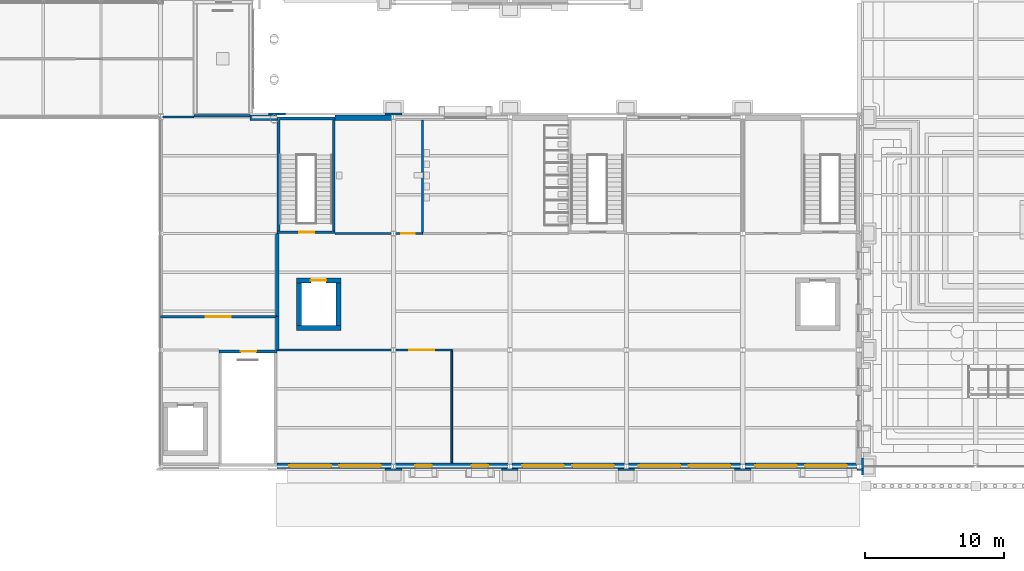
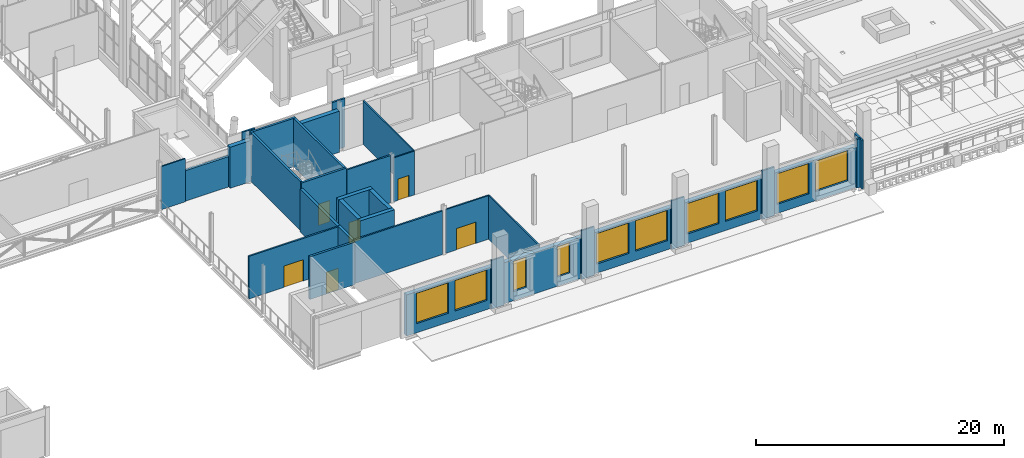
# One storey, part 51 of 76: 35 walls, 10 windows, 6 doors, 16 openings.
"""IFC4 building model written with IfcOpenShell, lengths in metres."""

import ifcopenshell
import ifcopenshell.guid

model = None  # the IFC model being written
_history = None  # IfcOwnerHistory: only IFC2X3 demands one
_inside = {}  # id of a spatial element -> (the spatial element, [elements in it])
_under = {}  # id of a project, library or spatial element -> (it, [spatial elements below it])
_declared = {}  # id of a project -> (the project, [libraries it declares])
_typed = {}  # id of a type object -> (the type object, [elements of that type])
_made_of = {}  # id of a material, layer set ... -> (it, [elements and type objects made of it])


def new_model(schema):
    """Start an empty IFC model of exactly this schema.

    Asked for "IFC4X3", IfcOpenShell would pick the latest addendum, in which some entities
    have other attributes; the version numbers below select the first issue.
    IFC2X3 requires an IfcOwnerHistory on every rooted entity: one is made here for all.
    """
    global model, _history
    if schema == "IFC4X3":
        model = ifcopenshell.file(schema_version=(4, 3, 0, 0))
    else:
        model = ifcopenshell.file(schema=schema)
    _inside.clear()
    _under.clear()
    _declared.clear()
    _typed.clear()
    _made_of.clear()
    _history = None
    if model.schema == "IFC2X3":
        org = make("IfcOrganization", Name="unknown")
        user = make(
            "IfcPersonAndOrganization",
            ThePerson=make("IfcPerson", FamilyName="unknown"),
            TheOrganization=org,
        )
        app = make(
            "IfcApplication",
            ApplicationDeveloper=org,
            Version="unknown",
            ApplicationFullName="unknown",
            ApplicationIdentifier="unknown",
        )
        _history = make(
            "IfcOwnerHistory",
            OwningUser=user,
            OwningApplication=app,
            ChangeAction="ADDED",
            CreationDate=0,
        )
    return model


def make(cls, **values):
    """One entity of the class cls with the attributes given. An attribute that is None is left unset."""
    return model.create_entity(
        cls, **{name: value for name, value in values.items() if value is not None}
    )


def rooted(cls, **values):
    """An entity with a GlobalId (a new one), such as an element, a storey or a relation."""
    return make(cls, GlobalId=ifcopenshell.guid.new(), OwnerHistory=_history, **values)


def si_unit(unit_type, name, prefix=None):
    """IfcSIUnit, for example si_unit("LENGTHUNIT", "METRE", prefix="MILLI")."""
    return make("IfcSIUnit", UnitType=unit_type, Prefix=prefix, Name=name)


def assignment(units):
    """IfcUnitAssignment: the units of a project."""
    return None if units is None else make("IfcUnitAssignment", Units=units)


def point(xyz):
    """IfcCartesianPoint."""
    return None if xyz is None else make("IfcCartesianPoint", Coordinates=xyz)


def direction(xyz):
    """IfcDirection."""
    return None if xyz is None else make("IfcDirection", DirectionRatios=xyz)


def frame(location, z_axis=None, x_axis=None):
    """IfcAxis2Placement3D, a coordinate frame: its origin and axes. An axis left out is left unset."""
    return make(
        "IfcAxis2Placement3D",
        Location=point(location),
        Axis=direction(z_axis),
        RefDirection=direction(x_axis),
    )


def frame_2d(location, x_axis=None):
    """IfcAxis2Placement2D, a coordinate frame in the plane: its origin and x axis."""
    return make(
        "IfcAxis2Placement2D", Location=point(location), RefDirection=direction(x_axis)
    )


def origin():
    """The frame at (0, 0, 0) with its axes left unset."""
    return frame((0.0, 0.0, 0.0))


def place(relative_to, where):
    """IfcLocalPlacement: puts the frame where relative to a parent placement (None: the world)."""
    return make(
        "IfcLocalPlacement", PlacementRelTo=relative_to, RelativePlacement=where
    )


def context(
    kind, dimensions, precision=None, world=None, true_north=None, identifier=None
):
    """IfcGeometricRepresentationContext, for example the 3D "Model" context."""
    return make(
        "IfcGeometricRepresentationContext",
        ContextIdentifier=identifier,
        ContextType=kind,
        CoordinateSpaceDimension=dimensions,
        Precision=precision,
        WorldCoordinateSystem=world,
        TrueNorth=true_north,
    )


def subcontext(parent, identifier, kind, view, scale=None):
    """IfcGeometricRepresentationSubContext, for example "Body" below "Model"."""
    return make(
        "IfcGeometricRepresentationSubContext",
        ContextIdentifier=identifier,
        ContextType=kind,
        ParentContext=parent,
        TargetScale=scale,
        TargetView=view,
    )


def project(units=None, contexts=None):
    """IfcProject with its units and contexts."""
    return rooted(
        "IfcProject",
        Name="project",
        RepresentationContexts=contexts,
        UnitsInContext=assignment(units),
    )


def spatial(cls, under=None, at=None, **own):
    """A site, building, storey or space (cls), placed at a placement, below another one or the project."""
    s = rooted(cls, ObjectPlacement=at, **own)
    if under is not None:
        _under.setdefault(under.id(), (under, []))[1].append(s)
    return s


def profile(cls, at=None, kind="AREA", **sizes):
    """A parametric profile (cls). Its sizes go by their IFC names, for example OverallWidth=200.0."""
    return make(cls, ProfileType=kind, Position=at, **sizes)


def rectangle(**sizes):
    """IfcRectangleProfileDef."""
    return profile("IfcRectangleProfileDef", **sizes)


def extrude(swept, where, along, depth):
    """IfcExtrudedAreaSolid: the profile swept, set in the frame where, extruded along a direction by depth."""
    return make(
        "IfcExtrudedAreaSolid",
        SweptArea=swept,
        Position=where,
        ExtrudedDirection=direction(along),
        Depth=depth,
    )


def shape(context_of_items, identifier, shape_type, items):
    """IfcShapeRepresentation: the items that make up one representation, for example the "Body"."""
    return make(
        "IfcShapeRepresentation",
        ContextOfItems=context_of_items,
        RepresentationIdentifier=identifier,
        RepresentationType=shape_type,
        Items=items,
    )


def material(Name=None, Category=None):
    """IfcMaterial."""
    return make("IfcMaterial", Name=Name, Category=Category)


def layer(
    of_material, thickness, ventilated=None, Name=None, Category=None, Priority=None
):
    """IfcMaterialLayer: one layer of a wall or slab, of a material (None: an air gap)."""
    return make(
        "IfcMaterialLayer",
        Material=of_material,
        LayerThickness=thickness,
        IsVentilated=ventilated,
        Name=Name,
        Category=Category,
        Priority=Priority,
    )


def layer_set(layers, Name=None):
    """IfcMaterialLayerSet."""
    return make("IfcMaterialLayerSet", MaterialLayers=layers, LayerSetName=Name)


def made_of(thing, what):
    """Note that an element or type object is made of a material, layer set ...; save() writes the relation."""
    if what is not None:
        _made_of.setdefault(what.id(), (what, []))[1].append(thing)
    return thing


def type_object(cls, material=None, **own):
    """A type object (cls), such as IfcWallType, which elements share."""
    return made_of(rooted(cls, **own), material)


def element(
    cls,
    number,
    at=None,
    inside=None,
    cuts=None,
    type_object=None,
    material=None,
    context=None,
    identifier="Body",
    shape_type=None,
    held_by="IfcProductDefinitionShape",
    body=None,
    shapes=None,
    **own,
):
    """One element of the class cls, such as IfcWall. Its Tag is "e" and its number.

    at: its placement. inside: the storey or other place that contains it. cuts: it is an
    opening in that element (IfcRelVoidsElement). A single representation is given by context,
    identifier, shape_type and body (its items); several are given by shapes. held_by: the class
    of the entity that holds the representations. save() writes the other relations.
    """
    e = rooted(cls, Tag="e%d" % number, ObjectPlacement=at, **own)
    if body is not None:
        shapes = [shape(context, identifier, shape_type, body)]
    if shapes is not None:
        e.Representation = make(held_by, Representations=shapes)
    if inside is not None:
        _inside.setdefault(inside.id(), (inside, []))[1].append(e)
    if cuts is not None:
        rooted(
            "IfcRelVoidsElement", RelatingBuildingElement=cuts, RelatedOpeningElement=e
        )
    if type_object is not None:
        _typed.setdefault(type_object.id(), (type_object, []))[1].append(e)
    return made_of(e, material)


def fill(opening, filler):
    """IfcRelFillsElement: the door or window that sits in an opening."""
    return rooted(
        "IfcRelFillsElement",
        RelatingOpeningElement=opening,
        RelatedBuildingElement=filler,
    )


def aggregate(whole, parts):
    """IfcRelAggregates: a whole, such as a stair, and the parts it consists of."""
    return rooted("IfcRelAggregates", RelatingObject=whole, RelatedObjects=parts)


def save(model, path):
    """Write the relations noted so far, then the file.

    IfcRelAggregates (storeys below a building ...), IfcRelContainedInSpatialStructure (elements
    in a storey), IfcRelDefinesByType, IfcRelAssociatesMaterial and IfcRelDeclares: one each for
    every whole, place, type object, material and project.
    """
    for whole, parts in _under.values():
        aggregate(whole, parts)
    for where, things in _inside.values():
        rooted(
            "IfcRelContainedInSpatialStructure",
            RelatedElements=things,
            RelatingStructure=where,
        )
    for kind, things in _typed.values():
        rooted("IfcRelDefinesByType", RelatedObjects=things, RelatingType=kind)
    for what, things in _made_of.values():
        rooted("IfcRelAssociatesMaterial", RelatedObjects=things, RelatingMaterial=what)
    for by, libraries in _declared.values():
        rooted("IfcRelDeclares", RelatingContext=by, RelatedDefinitions=libraries)
    model.write(path)


model = new_model("IFC4")

# Units and contexts
model_context = context("Model", 3, precision=1e-05, world=origin(), true_north=direction((0.0, 1.0)))
body_context = subcontext(model_context, "Body", "Model", "MODEL_VIEW")
ifc_project = project(units=[si_unit("LENGTHUNIT", "METRE"), si_unit("AREAUNIT", "SQUARE_METRE"), si_unit("VOLUMEUNIT", "CUBIC_METRE"), si_unit("PLANEANGLEUNIT", "RADIAN"), si_unit("MASSUNIT", "GRAM", prefix="KILO")], contexts=[model_context])

# Site, building, storey
site_placement = place(None, origin())
site = spatial("IfcSite", under=ifc_project, at=site_placement, CompositionType="ELEMENT")
building_placement = place(site_placement, origin())
building = spatial("IfcBuilding", under=site, at=building_placement, Name="Sava Quay Ferry Terminal", CompositionType="ELEMENT")
storey_placement = place(building_placement, frame((0.0, 0.0, 6.0)))
storey = spatial("IfcBuildingStorey", under=building, at=storey_placement, Name="L01", CompositionType="ELEMENT", Elevation=6.0)

# Walls
ifc_material_1 = material(Name="Concrete C30/37", Category="concrete")
ifc_layer_1 = layer(ifc_material_1, 0.25)
ifc_layer_set_1 = layer_set([ifc_layer_1], Name="Concrete C30/37")
wall_type_1 = type_object("IfcWallType", Name="Compartment wall, reinforced concrete 250", PredefinedType="PARTITIONING", material=ifc_layer_set_1)
wall_1_placement = place(storey_placement, frame((84.0, 33.60009765625, 0.0), z_axis=(0.0, 0.0, 1.0), x_axis=(0.0, 1.0, 0.0)))
element("IfcWall", 1, at=wall_1_placement, inside=storey, type_object=wall_type_1, Name="Compartment wall, reinforced concrete 250", PredefinedType="PARTITIONING", context=body_context, shape_type="SweptSolid", body=[
    extrude(rectangle(XDim=2.39990234375, YDim=0.25, at=frame_2d((1.199951171875, 0.0))), origin(), (0.0, 0.0, 1.0), 4.260009765625),
])
wall_2_placement = place(storey_placement, frame((84.0, 36.0, 0.0), z_axis=(0.0, 0.0, 1.0), x_axis=(0.0, 1.0, 0.0)))
element("IfcWall", 2, at=wall_2_placement, inside=storey, type_object=wall_type_1, Name="Compartment wall, reinforced concrete 250", PredefinedType="PARTITIONING", context=body_context, shape_type="SweptSolid", body=[
    extrude(rectangle(XDim=6.0, YDim=0.25, at=frame_2d((3.0, 0.0))), origin(), (0.0, 0.0, 1.0), 4.25),
])
ifc_material_2 = material(Name="Limestone Mutalj", Category="masonry")
ifc_layer_2 = layer(ifc_material_2, 0.14990234375)
ifc_layer_set_2 = layer_set([ifc_layer_2], Name="Limestone Mutalj")
wall_type_2 = type_object("IfcWallType", Name="Pier cladding 150", PredefinedType="SOLIDWALL", material=ifc_layer_set_2)
wall_3_placement = place(storey_placement, frame((83.39990234375, 50.635009765625, 0.0), z_axis=(0.0, 0.0, 1.0), x_axis=(1.0, 0.0, 0.0)))
element("IfcWall", 3, at=wall_3_placement, inside=storey, type_object=wall_type_2, Name="Pier P-N grid 84", PredefinedType="SOLIDWALL", context=body_context, shape_type="SweptSolid", body=[
    extrude(rectangle(XDim=1.2001953125, YDim=0.14990234375, at=frame_2d((0.60009765625, 0.0))), origin(), (0.0, 0.0, 1.0), 4.800048828125),
])
for number, where, z_axis, x_axis, name in (
    (4, (91.800048828125, 50.635009765625, 0.0), (0.0, 0.0, 1.0), (1.0, 0.0, 0.0), "Pier P-N grid 92.4"),
    (5, (126.22509765625, 24.60009765625, 0.0), (0.0, 0.0, 1.0), (0.0, 1.0, 0.0), "Pier P-E grid 25.2"),
    (6, (91.800048828125, 24.965087890625, 0.0), (0.0, 0.0, 1.0), (1.0, 0.0, 0.0), "Pier P-S grid 92.4"),
    (7, (100.199951171875, 24.965087890625, 0.0), (0.0, 0.0, 1.0), (1.0, 0.0, 0.0), "Pier P-S grid 100.8"),
    (8, (108.60009765625, 24.965087890625, 0.0), (0.0, 0.0, 1.0), (1.0, 0.0, 0.0), "Pier P-S grid 109.2"),
    (9, (117.0, 24.965087890625, 0.0), (0.0, 0.0, 1.0), (1.0, 0.0, 0.0), "Pier P-S grid 117.6"),
):
    element("IfcWall", number, at=place(storey_placement, frame(where, z_axis=z_axis, x_axis=x_axis)), inside=storey, type_object=wall_type_2, Name=name, PredefinedType="SOLIDWALL", context=body_context, shape_type="SweptSolid", body=[
        extrude(rectangle(XDim=1.199951171875, YDim=0.14990234375, at=frame_2d((0.60009765625, 0.0))), origin(), (0.0, 0.0, 1.0), 4.800048828125),
    ])
wall_4_placement = place(storey_placement, frame((125.85009765625, 24.965087890625, 0.0), z_axis=(0.0, 0.0, 1.0), x_axis=(1.0, 0.0, 0.0)))
element("IfcWall", 10, at=wall_4_placement, inside=storey, type_object=wall_type_2, Name="Pier P-S grid 126", PredefinedType="SOLIDWALL", context=body_context, shape_type="SweptSolid", body=[
    extrude(rectangle(XDim=0.449951171875, YDim=0.14990234375, at=frame_2d((0.22509765625, 0.0))), origin(), (0.0, 0.0, 1.0), 4.800048828125),
])

# Wall, opening, door
ifc_material_3 = material(Name="Masonry blockwork", Category="masonry")
ifc_layer_3 = layer(ifc_material_3, 0.14990234375)
ifc_layer_set_3 = layer_set([ifc_layer_3], Name="Masonry blockwork")
wall_type_3 = type_object("IfcWallType", Name="Plant, store and lobby wall, blockwork 150", PredefinedType="PARTITIONING", material=ifc_layer_set_3)
wall_5_placement = place(storey_placement, frame((75.60009765625, 36.0, 0.0), z_axis=(0.0, 0.0, 1.0), x_axis=(1.0, 0.0, 0.0)))
wall_5 = element("IfcWall", 11, at=wall_5_placement, inside=storey, type_object=wall_type_3, Name="Plant, store and lobby wall, blockwork 150", PredefinedType="PARTITIONING", context=body_context, shape_type="SweptSolid", body=[
    extrude(rectangle(XDim=8.39990234375, YDim=0.14990234375, at=frame_2d((4.199951171875, 0.0))), origin(), (0.0, 0.0, 1.0), 4.199951171875),
])
opening_1_placement = place(wall_5_placement, frame((3.25, 0.0, 0.0)))
opening_1 = element("IfcOpeningElement", 12, at=opening_1_placement, cuts=wall_5, Name="Opening D0102", PredefinedType="OPENING", context=body_context, shape_type="SweptSolid", body=[
    extrude(rectangle(XDim=1.800048828125, YDim=2.10009765625, at=frame_2d((0.89990234375, 1.050048828125))), frame((0.0, 0.074951171875, 0.0), z_axis=(0.0, -1.0, 0.0), x_axis=(1.0, 0.0, 0.0)), (0.0, 0.0, 1.0), 0.14990234375),
])
ifc_material_4 = material(Name="Timber door set", Category="wood")
door_type_1 = type_object("IfcDoorType", Name="Double door 1800 x 2100", OperationType="NOTDEFINED", PredefinedType="DOOR", material=ifc_material_4)
door_1_placement = place(opening_1_placement, origin())
door_1 = element("IfcDoor", 13, at=door_1_placement, inside=storey, type_object=door_type_1, Name="Door D0102", OperationType="DOUBLE_DOOR_DOUBLE_SWING", OverallHeight=2.10009765625, OverallWidth=1.800048828125, PredefinedType="DOOR", context=body_context, shape_type="SweptSolid", body=[
    extrude(rectangle(XDim=1.800048828125, YDim=2.10009765625, at=frame_2d((0.89990234375, 1.050048828125))), frame((0.0, 0.02490234375, 0.0), z_axis=(0.0, -1.0, 0.0), x_axis=(1.0, 0.0, 0.0)), (0.0, 0.0, 1.0), 0.050048828125),
])
fill(opening_1, door_1)

# Walls
wall_6_placement = place(storey_placement, frame((84.0, 33.60009765625, 0.0), z_axis=(0.0, 0.0, 1.0), x_axis=(1.0, 0.0, 0.0)))
element("IfcWall", 14, at=wall_6_placement, inside=storey, type_object=wall_type_3, Name="Plant, store and lobby wall, blockwork 150", PredefinedType="PARTITIONING", context=body_context, shape_type="SweptSolid", body=[
    extrude(rectangle(XDim=8.25, YDim=0.14990234375, at=frame_2d((4.125, 0.0))), origin(), (0.0, 0.0, 1.0), 4.31005859375),
])
wall_7_placement = place(storey_placement, frame((88.199951171875, 42.0, 0.0), z_axis=(0.0, 0.0, 1.0), x_axis=(1.0, 0.0, 0.0)))
element("IfcWall", 15, at=wall_7_placement, inside=storey, type_object=wall_type_3, Name="Plant, store and lobby wall, blockwork 150", PredefinedType="PARTITIONING", context=body_context, shape_type="SweptSolid", body=[
    extrude(rectangle(XDim=4.050048828125, YDim=0.14990234375, at=frame_2d((2.02490234375, 0.0))), origin(), (0.0, 0.0, 1.0), 4.669921875),
])

# Wall, opening, door
ifc_material_5 = material(Name="Concrete C35/45", Category="concrete")
ifc_layer_4 = layer(ifc_material_5, 0.199951171875)
ifc_layer_set_4 = layer_set([ifc_layer_4], Name="Concrete C35/45")
wall_type_4 = type_object("IfcWallType", Name="RC core wall 200", PredefinedType="SHEAR", material=ifc_layer_set_4)
wall_8_placement = place(storey_placement, frame((79.800048828125, 33.5, 0.0), z_axis=(0.0, 0.0, 1.0), x_axis=(1.0, 0.0, 0.0)))
wall_8 = element("IfcWall", 16, at=wall_8_placement, inside=storey, type_object=wall_type_4, Name="Core wall ST-A2 N L01", PredefinedType="SHEAR", context=body_context, shape_type="SweptSolid", body=[
    extrude(rectangle(XDim=4.199951171875, YDim=0.199951171875, at=frame_2d((2.10009765625, 0.0))), origin(), (0.0, 0.0, 1.0), 4.199951171875),
])
opening_2_placement = place(wall_8_placement, frame((1.60009765625, 0.0, 0.0)))
opening_2 = element("IfcOpeningElement", 17, at=opening_2_placement, cuts=wall_8, Name="Opening DS0102", PredefinedType="OPENING", context=body_context, shape_type="SweptSolid", body=[
    extrude(rectangle(XDim=1.10009765625, YDim=2.10009765625, at=frame_2d((0.550048828125, 1.050048828125))), frame((0.0, 0.10009765625, 0.0), z_axis=(0.0, -1.0, 0.0), x_axis=(1.0, 0.0, 0.0)), (0.0, 0.0, 1.0), 0.199951171875),
])
ifc_material_6 = material(Name="Steel fire door set", Category="steel")
door_type_2 = type_object("IfcDoorType", Name="Stair fire door 1100 x 2100", OperationType="NOTDEFINED", PredefinedType="DOOR", material=ifc_material_6)
door_2_placement = place(opening_2_placement, origin())
door_2 = element("IfcDoor", 18, at=door_2_placement, inside=storey, type_object=door_type_2, Name="Door DS0102", OperationType="SINGLE_SWING_RIGHT", OverallHeight=2.10009765625, OverallWidth=1.10009765625, PredefinedType="DOOR", context=body_context, shape_type="SweptSolid", body=[
    extrude(rectangle(XDim=1.10009765625, YDim=2.10009765625, at=frame_2d((0.550048828125, 1.050048828125))), frame((0.0, 0.02490234375, 0.0), z_axis=(0.0, -1.0, 0.0), x_axis=(1.0, 0.0, 0.0)), (0.0, 0.0, 1.0), 0.050048828125),
])
fill(opening_2, door_2)

# Wall
wall_9_placement = place(storey_placement, frame((78.0, 50.5, 0.0), z_axis=(0.0, 0.0, 1.0), x_axis=(1.0, 0.0, 0.0)))
element("IfcWall", 19, at=wall_9_placement, inside=storey, type_object=wall_type_4, Name="Core wall ST-D2 S L01", PredefinedType="SHEAR", context=body_context, shape_type="SweptSolid", body=[
    extrude(rectangle(XDim=4.199951171875, YDim=0.199951171875, at=frame_2d((2.10009765625, 0.0))), origin(), (0.0, 0.0, 1.0), 3.0),
])

# Wall, opening, door
wall_10_placement = place(storey_placement, frame((84.0, 42.10009765625, 0.0), z_axis=(0.0, 0.0, 1.0), x_axis=(1.0, 0.0, 0.0)))
wall_10 = element("IfcWall", 20, at=wall_10_placement, inside=storey, type_object=wall_type_4, Name="Core wall ST-P1 S L01", PredefinedType="SHEAR", context=body_context, shape_type="SweptSolid", body=[
    extrude(rectangle(XDim=4.199951171875, YDim=0.199951171875, at=frame_2d((2.10009765625, 0.0))), origin(), (0.0, 0.0, 1.0), 4.800048828125),
])
opening_3_placement = place(wall_10_placement, frame((1.60009765625, 0.0, 0.0)))
opening_3 = element("IfcOpeningElement", 21, at=opening_3_placement, cuts=wall_10, Name="Opening DS0110", PredefinedType="OPENING", context=body_context, shape_type="SweptSolid", body=[
    extrude(rectangle(XDim=1.10009765625, YDim=2.10009765625, at=frame_2d((0.550048828125, 1.050048828125))), frame((0.0, 0.10009765625, 0.0), z_axis=(0.0, -1.0, 0.0), x_axis=(1.0, 0.0, 0.0)), (0.0, 0.0, 1.0), 0.199951171875),
])
door_3_placement = place(opening_3_placement, origin())
door_3 = element("IfcDoor", 22, at=door_3_placement, inside=storey, type_object=door_type_2, Name="Door DS0110", OperationType="SINGLE_SWING_RIGHT", OverallHeight=2.10009765625, OverallWidth=1.10009765625, PredefinedType="DOOR", context=body_context, shape_type="SweptSolid", body=[
    extrude(rectangle(XDim=1.10009765625, YDim=2.10009765625, at=frame_2d((0.550048828125, 1.050048828125))), frame((0.0, 0.02490234375, 0.0), z_axis=(0.0, -1.0, 0.0), x_axis=(1.0, 0.0, 0.0)), (0.0, 0.0, 1.0), 0.050048828125),
])
fill(opening_3, door_3)

# Walls
wall_11_placement = place(storey_placement, frame((84.0, 50.300048828125, 0.0), z_axis=(0.0, 0.0, 1.0), x_axis=(1.0, 0.0, 0.0)))
element("IfcWall", 23, at=wall_11_placement, inside=storey, type_object=wall_type_4, Name="Core wall ST-P1 N L01", PredefinedType="SHEAR", context=body_context, shape_type="SweptSolid", body=[
    extrude(rectangle(XDim=4.199951171875, YDim=0.199951171875, at=frame_2d((2.10009765625, 0.0))), origin(), (0.0, 0.0, 1.0), 4.800048828125),
])
for number, where, z_axis, x_axis, name in (
    (24, (84.10009765625, 42.199951171875, 0.0), (0.0, 0.0, 1.0), (0.0, 1.0, 0.0), "Core wall ST-P1 W L01"),
    (25, (88.10009765625, 42.199951171875, 0.0), (0.0, 0.0, 1.0), (0.0, 1.0, 0.0), "Core wall ST-P1 E L01"),
):
    element("IfcWall", number, at=place(storey_placement, frame(where, z_axis=z_axis, x_axis=x_axis)), inside=storey, type_object=wall_type_4, Name=name, PredefinedType="SHEAR", context=body_context, shape_type="SweptSolid", body=[
        extrude(rectangle(XDim=8.0, YDim=0.199951171875, at=frame_2d((4.0, 0.0))), origin(), (0.0, 0.0, 1.0), 4.800048828125),
    ])
ifc_material_7 = material(Name="Concrete C35/45", Category="concrete")
ifc_layer_5 = layer(ifc_material_7, 0.35009765625)
ifc_layer_set_5 = layer_set([ifc_layer_5], Name="Concrete C35/45")
wall_type_5 = type_object("IfcWallType", Name="RC core wall 350", PredefinedType="SHEAR", material=ifc_layer_set_5)
wall_12_placement = place(storey_placement, frame((85.39990234375, 35.175048828125, 0.0), z_axis=(0.0, 0.0, 1.0), x_axis=(1.0, 0.0, 0.0)))
element("IfcWall", 26, at=wall_12_placement, inside=storey, type_object=wall_type_5, Name="Core wall LF-P1 S L01", PredefinedType="SHEAR", context=body_context, shape_type="SweptSolid", body=[
    extrude(rectangle(XDim=3.2001953125, YDim=0.35009765625, at=frame_2d((1.60009765625, 0.0))), origin(), (0.0, 0.0, 1.0), 4.800048828125),
])

# Wall, opening, door
wall_13_placement = place(storey_placement, frame((85.39990234375, 38.625, 0.0), z_axis=(0.0, 0.0, 1.0), x_axis=(1.0, 0.0, 0.0)))
wall_13 = element("IfcWall", 27, at=wall_13_placement, inside=storey, type_object=wall_type_5, Name="Core wall LF-P1 N L01", PredefinedType="SHEAR", context=body_context, shape_type="SweptSolid", body=[
    extrude(rectangle(XDim=3.2001953125, YDim=0.35009765625, at=frame_2d((1.60009765625, 0.0))), origin(), (0.0, 0.0, 1.0), 4.800048828125),
])
opening_4_placement = place(wall_13_placement, frame((1.050048828125, 0.0, 0.0)))
opening_4 = element("IfcOpeningElement", 28, at=opening_4_placement, cuts=wall_13, Name="Opening LD0105", PredefinedType="OPENING", context=body_context, shape_type="SweptSolid", body=[
    extrude(rectangle(XDim=1.10009765625, YDim=2.10009765625, at=frame_2d((0.550048828125, 1.050048828125))), frame((0.0, 0.175048828125, 0.0), z_axis=(0.0, -1.0, 0.0), x_axis=(1.0, 0.0, 0.0)), (0.0, 0.0, 1.0), 0.35009765625),
])
ifc_material_8 = material(Name="Stainless steel", Category="steel")
door_type_3 = type_object("IfcDoorType", Name="Lift landing door 1100 x 2100", OperationType="NOTDEFINED", PredefinedType="DOOR", material=ifc_material_8)
door_4_placement = place(opening_4_placement, origin())
door_4 = element("IfcDoor", 29, at=door_4_placement, inside=storey, type_object=door_type_3, Name="Door LD0105", OperationType="SLIDING_TO_LEFT", OverallHeight=2.10009765625, OverallWidth=1.10009765625, PredefinedType="DOOR", context=body_context, shape_type="SweptSolid", body=[
    extrude(rectangle(XDim=1.10009765625, YDim=2.10009765625, at=frame_2d((0.550048828125, 1.050048828125))), frame((0.0, 0.02490234375, 0.0), z_axis=(0.0, -1.0, 0.0), x_axis=(1.0, 0.0, 0.0)), (0.0, 0.0, 1.0), 0.050048828125),
])
fill(opening_4, door_4)

# Walls
for number, where, z_axis, x_axis, name in (
    (30, (85.574951171875, 35.35009765625, 0.0), (0.0, 0.0, 1.0), (0.0, 1.0, 0.0), "Core wall LF-P1 W L01"),
    (31, (88.425048828125, 35.35009765625, 0.0), (0.0, 0.0, 1.0), (0.0, 1.0, 0.0), "Core wall LF-P1 E L01"),
):
    element("IfcWall", number, at=place(storey_placement, frame(where, z_axis=z_axis, x_axis=x_axis)), inside=storey, type_object=wall_type_5, Name=name, PredefinedType="SHEAR", context=body_context, shape_type="SweptSolid", body=[
        extrude(rectangle(XDim=3.099853515625, YDim=0.35009765625, at=frame_2d((1.5498046875, 0.0))), origin(), (0.0, 0.0, 1.0), 4.800048828125),
    ])
ifc_material_9 = material(Name="Plasterboard on steel studs", Category="steel")
ifc_layer_6 = layer(ifc_material_9, 0.125)
ifc_layer_set_6 = layer_set([ifc_layer_6], Name="Plasterboard on steel studs")
wall_type_6 = type_object("IfcWallType", Name="Room partition, plasterboard on steel studs 125", PredefinedType="PARTITIONING", material=ifc_layer_set_6)
wall_14_placement = place(storey_placement, frame((75.75, 50.39990234375, 0.0), z_axis=(0.0, 0.0, 1.0), x_axis=(1.0, 0.0, 0.0)))
element("IfcWall", 32, at=wall_14_placement, inside=storey, type_object=wall_type_6, Name="Room partition, plasterboard on steel studs 125", PredefinedType="PARTITIONING", context=body_context, shape_type="SweptSolid", body=[
    extrude(rectangle(XDim=2.25, YDim=0.125, at=frame_2d((1.125, 0.0))), origin(), (0.0, 0.0, 1.0), 4.25),
])
wall_15_placement = place(storey_placement, frame((96.60009765625, 25.4404296875, 0.0), z_axis=(0.0, 0.0, 1.0), x_axis=(0.0, 1.0, 0.0)))
element("IfcWall", 33, at=wall_15_placement, inside=storey, type_object=wall_type_6, Name="Room partition, plasterboard on steel studs 125", PredefinedType="PARTITIONING", context=body_context, shape_type="SweptSolid", body=[
    extrude(rectangle(XDim=8.15966796875, YDim=0.125, at=frame_2d((4.079833984375, 0.0))), origin(), (0.0, 0.0, 1.0), 4.31005859375),
])

# Wall, opening, door
wall_16_placement = place(storey_placement, frame((92.550048828125, 33.60009765625, 0.0), z_axis=(0.0, 0.0, 1.0), x_axis=(1.0, 0.0, 0.0)))
wall_16 = element("IfcWall", 34, at=wall_16_placement, inside=storey, type_object=wall_type_6, Name="Room partition, plasterboard on steel studs 125", PredefinedType="PARTITIONING", context=body_context, shape_type="SweptSolid", body=[
    extrude(rectangle(XDim=4.050048828125, YDim=0.125, at=frame_2d((2.02490234375, 0.0))), origin(), (0.0, 0.0, 1.0), 4.31005859375),
])
opening_5_placement = place(wall_16_placement, frame((1.0, 0.0, 0.0)))
opening_5 = element("IfcOpeningElement", 35, at=opening_5_placement, cuts=wall_16, Name="Opening D0112", PredefinedType="OPENING", context=body_context, shape_type="SweptSolid", body=[
    extrude(rectangle(XDim=1.800048828125, YDim=2.10009765625, at=frame_2d((0.89990234375, 1.050048828125))), frame((0.0, 0.0625, 0.0), z_axis=(0.0, -1.0, 0.0), x_axis=(1.0, 0.0, 0.0)), (0.0, 0.0, 1.0), 0.125),
])
door_5_placement = place(opening_5_placement, origin())
door_5 = element("IfcDoor", 36, at=door_5_placement, inside=storey, type_object=door_type_1, Name="Door D0112", OperationType="DOUBLE_DOOR_DOUBLE_SWING", OverallHeight=2.10009765625, OverallWidth=1.800048828125, PredefinedType="DOOR", context=body_context, shape_type="SweptSolid", body=[
    extrude(rectangle(XDim=1.800048828125, YDim=2.10009765625, at=frame_2d((0.89990234375, 1.050048828125))), frame((0.0, 0.02490234375, 0.0), z_axis=(0.0, -1.0, 0.0), x_axis=(1.0, 0.0, 0.0)), (0.0, 0.0, 1.0), 0.050048828125),
])
fill(opening_5, door_5)

# Walls
ifc_material_10 = material(Name="Sandstone Bela Voda", Category="masonry")
ifc_layer_7 = layer(ifc_material_10, 0.39990234375)
ifc_layer_set_7 = layer_set([ifc_layer_7], Name="Sandstone Bela Voda")
wall_type_7 = type_object("IfcWallType", Name="Sandstone ashlar infill 400", PredefinedType="SOLIDWALL", material=ifc_layer_set_7)
wall_17_placement = place(storey_placement, frame((82.050048828125, 50.360107421875, 0.0), z_axis=(0.0, 0.0, 1.0), x_axis=(1.0, 0.0, 0.0)))
element("IfcWall", 37, at=wall_17_placement, inside=storey, type_object=wall_type_7, Name="External wall P-N", PredefinedType="SOLIDWALL", context=body_context, shape_type="SweptSolid", body=[
    extrude(rectangle(XDim=1.949951171875, YDim=0.39990234375, at=frame_2d((0.97509765625, 0.0))), origin(), (0.0, 0.0, 1.0), 4.050048828125),
])
wall_18_placement = place(storey_placement, frame((88.199951171875, 50.360107421875, 0.0), z_axis=(0.0, 0.0, 1.0), x_axis=(1.0, 0.0, 0.0)))
element("IfcWall", 38, at=wall_18_placement, inside=storey, type_object=wall_type_7, Name="External wall P-N", PredefinedType="SOLIDWALL", context=body_context, shape_type="SweptSolid", body=[
    extrude(rectangle(XDim=4.050048828125, YDim=0.39990234375, at=frame_2d((2.02490234375, 0.0))), origin(), (0.0, 0.0, 1.0), 4.050048828125),
])

# Wall, openings, windows
wall_19_placement = place(storey_placement, frame((84.0, 25.239990234375, 0.0), z_axis=(0.0, 0.0, 1.0), x_axis=(1.0, 0.0, 0.0)))
wall_19 = element("IfcWall", 39, at=wall_19_placement, inside=storey, type_object=wall_type_7, Name="External wall P-S", PredefinedType="SOLIDWALL", context=body_context, shape_type="SweptSolid", body=[
    extrude(rectangle(XDim=8.25, YDim=0.39990234375, at=frame_2d((4.125, 0.0))), origin(), (0.0, 0.0, 1.0), 4.050048828125),
])
opening_6_placement = place(wall_19_placement, frame((0.89990234375, 0.0, 0.89990234375)))
opening_6 = element("IfcOpeningElement", 40, at=opening_6_placement, cuts=wall_19, Name="Opening W-B", PredefinedType="OPENING", context=body_context, shape_type="SweptSolid", body=[
    extrude(rectangle(XDim=3.0, YDim=3.0, at=frame_2d((1.5, 1.5))), frame((0.0, 0.199951171875, 0.0), z_axis=(0.0, -1.0, 0.0), x_axis=(1.0, 0.0, 0.0)), (0.0, 0.0, 1.0), 0.39990234375),
])
opening_7_placement = place(wall_19_placement, frame((4.5, 0.0, 0.89990234375)))
opening_7 = element("IfcOpeningElement", 41, at=opening_7_placement, cuts=wall_19, Name="Opening W-B", PredefinedType="OPENING", context=body_context, shape_type="SweptSolid", body=[
    extrude(rectangle(XDim=3.0, YDim=3.0, at=frame_2d((1.5, 1.5))), frame((0.0, 0.199951171875, 0.0), z_axis=(0.0, -1.0, 0.0), x_axis=(1.0, 0.0, 0.0)), (0.0, 0.0, 1.0), 0.39990234375),
])
ifc_material_11 = material(Name="Aluminium bronze anodised frame, glazing double low-e Ug 1.1", Category="aluminium")
window_type_1 = type_object("IfcWindowType", Name="Upper ordered window 3000x3000", PartitioningType="SINGLE_PANEL", PredefinedType="WINDOW", material=ifc_material_11)
window_1_placement = place(opening_6_placement, origin())
window_1 = element("IfcWindow", 42, at=window_1_placement, inside=storey, type_object=window_type_1, Name="Window W-B", OverallHeight=3.0, OverallWidth=3.0, PartitioningType="SINGLE_PANEL", PredefinedType="WINDOW", context=body_context, shape_type="SweptSolid", body=[
    extrude(rectangle(XDim=3.0, YDim=3.0, at=frame_2d((1.5, 1.5))), frame((0.0, 0.030029296875, 0.0), z_axis=(0.0, -1.0, 0.0), x_axis=(1.0, 0.0, 0.0)), (0.0, 0.0, 1.0), 0.06005859375),
])
fill(opening_6, window_1)
window_2_placement = place(opening_7_placement, origin())
window_2 = element("IfcWindow", 43, at=window_2_placement, inside=storey, type_object=window_type_1, Name="Window W-B", OverallHeight=3.0, OverallWidth=3.0, PartitioningType="SINGLE_PANEL", PredefinedType="WINDOW", context=body_context, shape_type="SweptSolid", body=[
    extrude(rectangle(XDim=3.0, YDim=3.0, at=frame_2d((1.5, 1.5))), frame((0.0, 0.030029296875, 0.0), z_axis=(0.0, -1.0, 0.0), x_axis=(1.0, 0.0, 0.0)), (0.0, 0.0, 1.0), 0.06005859375),
])
fill(opening_7, window_2)

wall_20_placement = place(storey_placement, frame((92.550048828125, 25.239990234375, 0.0), z_axis=(0.0, 0.0, 1.0), x_axis=(1.0, 0.0, 0.0)))
wall_20 = element("IfcWall", 44, at=wall_20_placement, inside=storey, type_object=wall_type_7, Name="External wall P-S", PredefinedType="SOLIDWALL", context=body_context, shape_type="SweptSolid", body=[
    extrude(rectangle(XDim=8.099853515625, YDim=0.39990234375, at=frame_2d((4.0498046875, 0.0))), origin(), (0.0, 0.0, 1.0), 4.050048828125),
])
opening_8_placement = place(wall_20_placement, frame((1.418701171875, 0.0, 0.89990234375)))
opening_8 = element("IfcOpeningElement", 45, at=opening_8_placement, cuts=wall_20, Name="Opening W-E1", PredefinedType="OPENING", context=body_context, shape_type="SweptSolid", body=[
    extrude(rectangle(XDim=1.199951171875, YDim=3.0, at=frame_2d((0.60009765625, 1.5))), frame((0.0, 0.199951171875, 0.0), z_axis=(0.0, -1.0, 0.0), x_axis=(1.0, 0.0, 0.0)), (0.0, 0.0, 1.0), 0.39990234375),
])
opening_9_placement = place(wall_20_placement, frame((5.481201171875, 0.0, 0.89990234375)))
opening_9 = element("IfcOpeningElement", 46, at=opening_9_placement, cuts=wall_20, Name="Opening W-E1", PredefinedType="OPENING", context=body_context, shape_type="SweptSolid", body=[
    extrude(rectangle(XDim=1.199951171875, YDim=3.0, at=frame_2d((0.60009765625, 1.5))), frame((0.0, 0.199951171875, 0.0), z_axis=(0.0, -1.0, 0.0), x_axis=(1.0, 0.0, 0.0)), (0.0, 0.0, 1.0), 0.39990234375),
])
ifc_material_12 = material(Name="Aluminium bronze anodised frame, glazing double low-e Ug 1.1", Category="aluminium")
window_type_2 = type_object("IfcWindowType", Name="Entrance sidelight 1200x3000", PartitioningType="SINGLE_PANEL", PredefinedType="WINDOW", material=ifc_material_12)
window_3_placement = place(opening_8_placement, origin())
window_3 = element("IfcWindow", 47, at=window_3_placement, inside=storey, type_object=window_type_2, Name="Window W-E1", OverallHeight=3.0, OverallWidth=1.199951171875, PartitioningType="SINGLE_PANEL", PredefinedType="WINDOW", context=body_context, shape_type="SweptSolid", body=[
    extrude(rectangle(XDim=1.199951171875, YDim=3.0, at=frame_2d((0.60009765625, 1.5))), frame((0.0, 0.030029296875, 0.0), z_axis=(0.0, -1.0, 0.0), x_axis=(1.0, 0.0, 0.0)), (0.0, 0.0, 1.0), 0.06005859375),
])
fill(opening_8, window_3)
window_4_placement = place(opening_9_placement, origin())
window_4 = element("IfcWindow", 48, at=window_4_placement, inside=storey, type_object=window_type_2, Name="Window W-E1", OverallHeight=3.0, OverallWidth=1.199951171875, PartitioningType="SINGLE_PANEL", PredefinedType="WINDOW", context=body_context, shape_type="SweptSolid", body=[
    extrude(rectangle(XDim=1.199951171875, YDim=3.0, at=frame_2d((0.60009765625, 1.5))), frame((0.0, 0.030029296875, 0.0), z_axis=(0.0, -1.0, 0.0), x_axis=(1.0, 0.0, 0.0)), (0.0, 0.0, 1.0), 0.06005859375),
])
fill(opening_9, window_4)

wall_21_placement = place(storey_placement, frame((100.949951171875, 25.239990234375, 0.0), z_axis=(0.0, 0.0, 1.0), x_axis=(1.0, 0.0, 0.0)))
wall_21 = element("IfcWall", 49, at=wall_21_placement, inside=storey, type_object=wall_type_7, Name="External wall P-S", PredefinedType="SOLIDWALL", context=body_context, shape_type="SweptSolid", body=[
    extrude(rectangle(XDim=8.10009765625, YDim=0.39990234375, at=frame_2d((4.050048828125, 0.0))), origin(), (0.0, 0.0, 1.0), 4.050048828125),
])
opening_10_placement = place(wall_21_placement, frame((0.75, 0.0, 0.89990234375)))
opening_10 = element("IfcOpeningElement", 50, at=opening_10_placement, cuts=wall_21, Name="Opening W-B", PredefinedType="OPENING", context=body_context, shape_type="SweptSolid", body=[
    extrude(rectangle(XDim=3.0, YDim=3.0, at=frame_2d((1.5, 1.5))), frame((0.0, 0.199951171875, 0.0), z_axis=(0.0, -1.0, 0.0), x_axis=(1.0, 0.0, 0.0)), (0.0, 0.0, 1.0), 0.39990234375),
])
opening_11_placement = place(wall_21_placement, frame((4.35009765625, 0.0, 0.89990234375)))
opening_11 = element("IfcOpeningElement", 51, at=opening_11_placement, cuts=wall_21, Name="Opening W-B", PredefinedType="OPENING", context=body_context, shape_type="SweptSolid", body=[
    extrude(rectangle(XDim=3.0, YDim=3.0, at=frame_2d((1.5, 1.5))), frame((0.0, 0.199951171875, 0.0), z_axis=(0.0, -1.0, 0.0), x_axis=(1.0, 0.0, 0.0)), (0.0, 0.0, 1.0), 0.39990234375),
])
window_5_placement = place(opening_10_placement, origin())
window_5 = element("IfcWindow", 52, at=window_5_placement, inside=storey, type_object=window_type_1, Name="Window W-B", OverallHeight=3.0, OverallWidth=3.0, PartitioningType="SINGLE_PANEL", PredefinedType="WINDOW", context=body_context, shape_type="SweptSolid", body=[
    extrude(rectangle(XDim=3.0, YDim=3.0, at=frame_2d((1.5, 1.5))), frame((0.0, 0.030029296875, 0.0), z_axis=(0.0, -1.0, 0.0), x_axis=(1.0, 0.0, 0.0)), (0.0, 0.0, 1.0), 0.06005859375),
])
fill(opening_10, window_5)
window_6_placement = place(opening_11_placement, origin())
window_6 = element("IfcWindow", 53, at=window_6_placement, inside=storey, type_object=window_type_1, Name="Window W-B", OverallHeight=3.0, OverallWidth=3.0, PartitioningType="SINGLE_PANEL", PredefinedType="WINDOW", context=body_context, shape_type="SweptSolid", body=[
    extrude(rectangle(XDim=3.0, YDim=3.0, at=frame_2d((1.5, 1.5))), frame((0.0, 0.030029296875, 0.0), z_axis=(0.0, -1.0, 0.0), x_axis=(1.0, 0.0, 0.0)), (0.0, 0.0, 1.0), 0.06005859375),
])
fill(opening_11, window_6)

wall_22_placement = place(storey_placement, frame((109.35009765625, 25.239990234375, 0.0), z_axis=(0.0, 0.0, 1.0), x_axis=(1.0, 0.0, 0.0)))
wall_22 = element("IfcWall", 54, at=wall_22_placement, inside=storey, type_object=wall_type_7, Name="External wall P-S", PredefinedType="SOLIDWALL", context=body_context, shape_type="SweptSolid", body=[
    extrude(rectangle(XDim=8.099853515625, YDim=0.39990234375, at=frame_2d((4.0498046875, 0.0))), origin(), (0.0, 0.0, 1.0), 4.050048828125),
])
opening_12_placement = place(wall_22_placement, frame((0.75, 0.0, 0.89990234375)))
opening_12 = element("IfcOpeningElement", 55, at=opening_12_placement, cuts=wall_22, Name="Opening W-B", PredefinedType="OPENING", context=body_context, shape_type="SweptSolid", body=[
    extrude(rectangle(XDim=3.0, YDim=3.0, at=frame_2d((1.5, 1.5))), frame((0.0, 0.199951171875, 0.0), z_axis=(0.0, -1.0, 0.0), x_axis=(1.0, 0.0, 0.0)), (0.0, 0.0, 1.0), 0.39990234375),
])
opening_13_placement = place(wall_22_placement, frame((4.35009765625, 0.0, 0.89990234375)))
opening_13 = element("IfcOpeningElement", 56, at=opening_13_placement, cuts=wall_22, Name="Opening W-B", PredefinedType="OPENING", context=body_context, shape_type="SweptSolid", body=[
    extrude(rectangle(XDim=3.0, YDim=3.0, at=frame_2d((1.5, 1.5))), frame((0.0, 0.199951171875, 0.0), z_axis=(0.0, -1.0, 0.0), x_axis=(1.0, 0.0, 0.0)), (0.0, 0.0, 1.0), 0.39990234375),
])
window_7_placement = place(opening_12_placement, origin())
window_7 = element("IfcWindow", 57, at=window_7_placement, inside=storey, type_object=window_type_1, Name="Window W-B", OverallHeight=3.0, OverallWidth=3.0, PartitioningType="SINGLE_PANEL", PredefinedType="WINDOW", context=body_context, shape_type="SweptSolid", body=[
    extrude(rectangle(XDim=3.0, YDim=3.0, at=frame_2d((1.5, 1.5))), frame((0.0, 0.030029296875, 0.0), z_axis=(0.0, -1.0, 0.0), x_axis=(1.0, 0.0, 0.0)), (0.0, 0.0, 1.0), 0.06005859375),
])
fill(opening_12, window_7)
window_8_placement = place(opening_13_placement, origin())
window_8 = element("IfcWindow", 58, at=window_8_placement, inside=storey, type_object=window_type_1, Name="Window W-B", OverallHeight=3.0, OverallWidth=3.0, PartitioningType="SINGLE_PANEL", PredefinedType="WINDOW", context=body_context, shape_type="SweptSolid", body=[
    extrude(rectangle(XDim=3.0, YDim=3.0, at=frame_2d((1.5, 1.5))), frame((0.0, 0.030029296875, 0.0), z_axis=(0.0, -1.0, 0.0), x_axis=(1.0, 0.0, 0.0)), (0.0, 0.0, 1.0), 0.06005859375),
])
fill(opening_13, window_8)

wall_23_placement = place(storey_placement, frame((117.75, 25.239990234375, 0.0), z_axis=(0.0, 0.0, 1.0), x_axis=(1.0, 0.0, 0.0)))
wall_23 = element("IfcWall", 59, at=wall_23_placement, inside=storey, type_object=wall_type_7, Name="External wall P-S", PredefinedType="SOLIDWALL", context=body_context, shape_type="SweptSolid", body=[
    extrude(rectangle(XDim=8.10009765625, YDim=0.39990234375, at=frame_2d((4.050048828125, 0.0))), origin(), (0.0, 0.0, 1.0), 4.050048828125),
])
opening_14_placement = place(wall_23_placement, frame((0.75, 0.0, 0.89990234375)))
opening_14 = element("IfcOpeningElement", 60, at=opening_14_placement, cuts=wall_23, Name="Opening W-B", PredefinedType="OPENING", context=body_context, shape_type="SweptSolid", body=[
    extrude(rectangle(XDim=3.0, YDim=3.0, at=frame_2d((1.5, 1.5))), frame((0.0, 0.199951171875, 0.0), z_axis=(0.0, -1.0, 0.0), x_axis=(1.0, 0.0, 0.0)), (0.0, 0.0, 1.0), 0.39990234375),
])
opening_15_placement = place(wall_23_placement, frame((4.35009765625, 0.0, 0.89990234375)))
opening_15 = element("IfcOpeningElement", 61, at=opening_15_placement, cuts=wall_23, Name="Opening W-B", PredefinedType="OPENING", context=body_context, shape_type="SweptSolid", body=[
    extrude(rectangle(XDim=3.0, YDim=3.0, at=frame_2d((1.5, 1.5))), frame((0.0, 0.199951171875, 0.0), z_axis=(0.0, -1.0, 0.0), x_axis=(1.0, 0.0, 0.0)), (0.0, 0.0, 1.0), 0.39990234375),
])
window_9_placement = place(opening_14_placement, origin())
window_9 = element("IfcWindow", 62, at=window_9_placement, inside=storey, type_object=window_type_1, Name="Window W-B", OverallHeight=3.0, OverallWidth=3.0, PartitioningType="SINGLE_PANEL", PredefinedType="WINDOW", context=body_context, shape_type="SweptSolid", body=[
    extrude(rectangle(XDim=3.0, YDim=3.0, at=frame_2d((1.5, 1.5))), frame((0.0, 0.030029296875, 0.0), z_axis=(0.0, -1.0, 0.0), x_axis=(1.0, 0.0, 0.0)), (0.0, 0.0, 1.0), 0.06005859375),
])
fill(opening_14, window_9)
window_10_placement = place(opening_15_placement, origin())
window_10 = element("IfcWindow", 63, at=window_10_placement, inside=storey, type_object=window_type_1, Name="Window W-B", OverallHeight=3.0, OverallWidth=3.0, PartitioningType="SINGLE_PANEL", PredefinedType="WINDOW", context=body_context, shape_type="SweptSolid", body=[
    extrude(rectangle(XDim=3.0, YDim=3.0, at=frame_2d((1.5, 1.5))), frame((0.0, 0.030029296875, 0.0), z_axis=(0.0, -1.0, 0.0), x_axis=(1.0, 0.0, 0.0)), (0.0, 0.0, 1.0), 0.06005859375),
])
fill(opening_15, window_10)

# Wall, opening, door
ifc_material_13 = material(Name="Moisture-resistant board on steel studs", Category="steel")
ifc_layer_8 = layer(ifc_material_13, 0.125)
ifc_layer_set_8 = layer_set([ifc_layer_8], Name="Moisture-resistant board on steel studs")
wall_type_8 = type_object("IfcWallType", Name="Toilet partition, moisture-resistant board 125", PredefinedType="PARTITIONING", material=ifc_layer_set_8)
wall_24_placement = place(storey_placement, frame((92.550048828125, 42.0, 0.0), z_axis=(0.0, 0.0, 1.0), x_axis=(1.0, 0.0, 0.0)))
wall_24 = element("IfcWall", 64, at=wall_24_placement, inside=storey, type_object=wall_type_8, Name="Toilet partition, moisture-resistant board 125", PredefinedType="PARTITIONING", context=body_context, shape_type="SweptSolid", body=[
    extrude(rectangle(XDim=1.949951171875, YDim=0.125, at=frame_2d((0.97509765625, 0.0))), origin(), (0.0, 0.0, 1.0), 4.31005859375),
])
opening_16_placement = place(wall_24_placement, frame((0.39990234375, 0.0, 0.0)))
opening_16 = element("IfcOpeningElement", 65, at=opening_16_placement, cuts=wall_24, Name="Opening D0113", PredefinedType="OPENING", context=body_context, shape_type="SweptSolid", body=[
    extrude(rectangle(XDim=1.0, YDim=2.10009765625, at=frame_2d((0.5, 1.050048828125))), frame((0.0, 0.0625, 0.0), z_axis=(0.0, -1.0, 0.0), x_axis=(1.0, 0.0, 0.0)), (0.0, 0.0, 1.0), 0.125),
])
ifc_material_14 = material(Name="Laminate door set")
door_type_4 = type_object("IfcDoorType", Name="Accessible toilet door 1000 x 2100", OperationType="NOTDEFINED", PredefinedType="DOOR", material=ifc_material_14)
door_6_placement = place(opening_16_placement, origin())
door_6 = element("IfcDoor", 66, at=door_6_placement, inside=storey, type_object=door_type_4, Name="Door D0113", OperationType="SINGLE_SWING_RIGHT", OverallHeight=2.10009765625, OverallWidth=1.0, PredefinedType="DOOR", context=body_context, shape_type="SweptSolid", body=[
    extrude(rectangle(XDim=1.0, YDim=2.10009765625, at=frame_2d((0.5, 1.050048828125))), frame((0.0, 0.02490234375, 0.0), z_axis=(0.0, -1.0, 0.0), x_axis=(1.0, 0.0, 0.0)), (0.0, 0.0, 1.0), 0.050048828125),
])
fill(opening_16, door_6)

# Wall
wall_25_placement = place(storey_placement, frame((94.5, 42.0, 0.0), z_axis=(0.0, 0.0, 1.0), x_axis=(0.0, 1.0, 0.0)))
element("IfcWall", 67, at=wall_25_placement, inside=storey, type_object=wall_type_8, Name="Toilet partition, moisture-resistant board 125", PredefinedType="PARTITIONING", context=body_context, shape_type="SweptSolid", body=[
    extrude(rectangle(XDim=8.159423828125, YDim=0.125, at=frame_2d((4.07958984375, 0.0))), origin(), (0.0, 0.0, 1.0), 4.31005859375),
])

save(model, "model.ifc")
